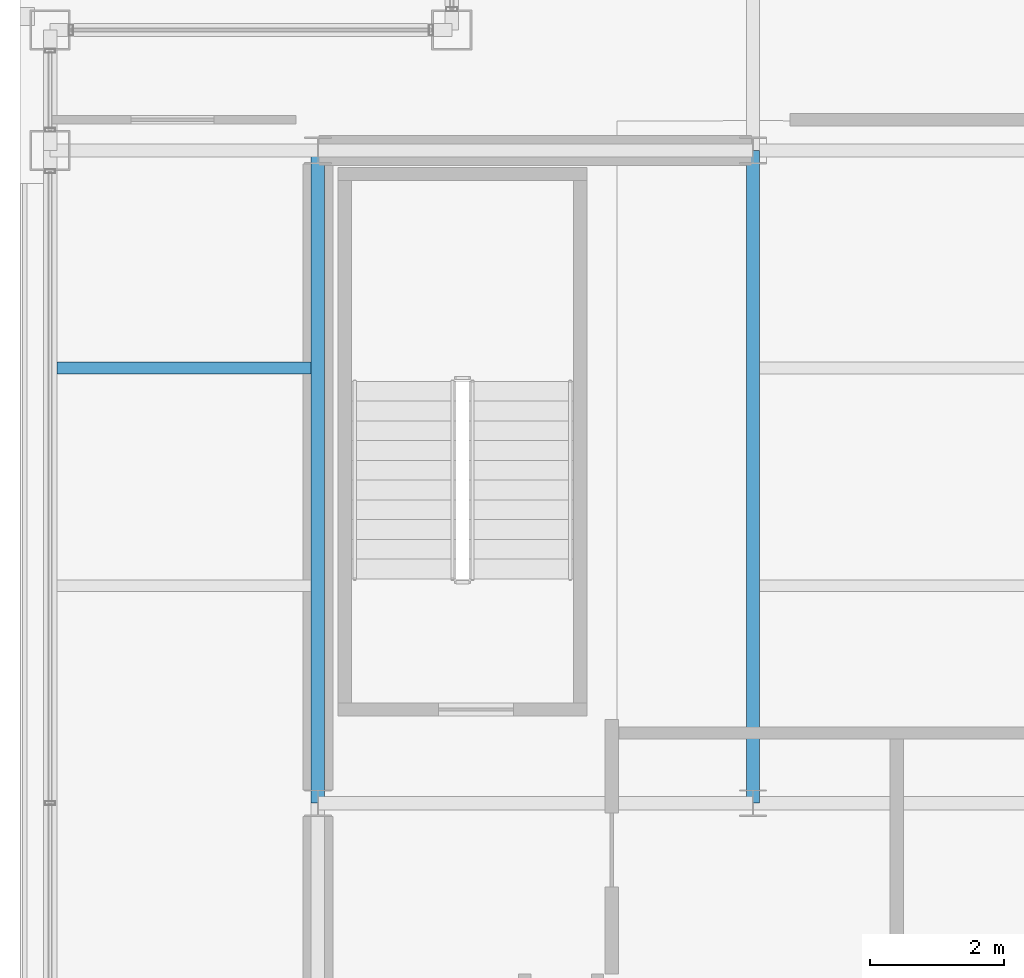
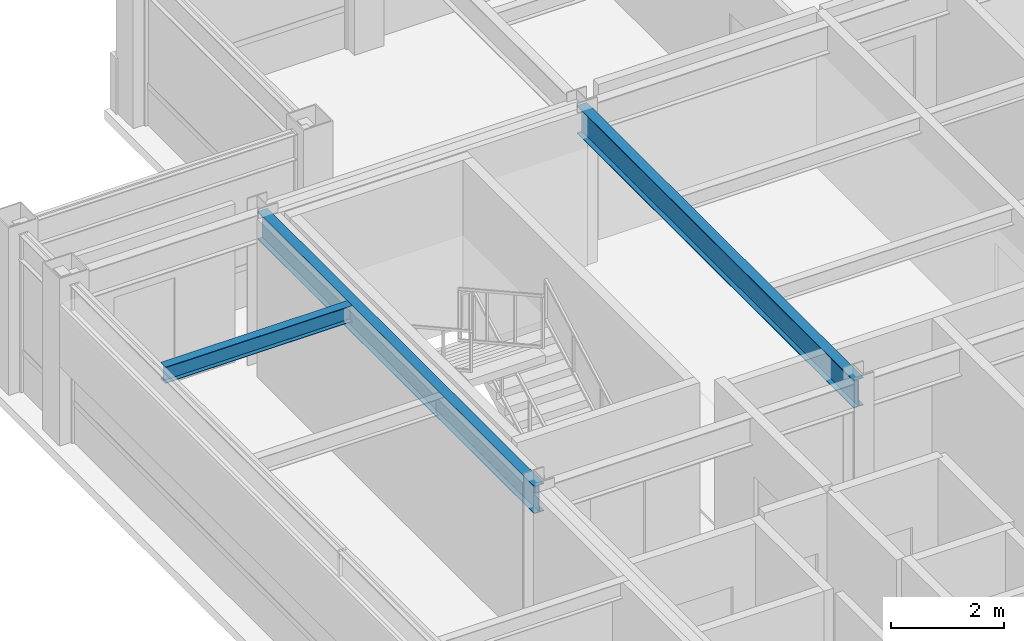
# One storey, part 7 of 22: 3 beams.
"""IFC4 building model written with IfcOpenShell, lengths in metres."""

from ifc_helpers import new_model, si_unit, direction, frame, origin, origin_2d, place, context, subcontext, project, spatial, i_section, extrude, material, material_profile, profile_set, type_object, element, save


model = new_model("IFC4")

# Units and contexts
model_context = context("Model", 3, precision=1e-05, world=origin(), true_north=direction((0.0, 1.0)))
body_context = subcontext(model_context, "Body", "Model", "MODEL_VIEW")
ifc_project = project(units=[si_unit("LENGTHUNIT", "METRE"), si_unit("AREAUNIT", "SQUARE_METRE"), si_unit("VOLUMEUNIT", "CUBIC_METRE"), si_unit("PLANEANGLEUNIT", "RADIAN"), si_unit("MASSUNIT", "GRAM", prefix="KILO")], contexts=[model_context])

# Site, building, storey
site_placement = place(None, origin())
site = spatial("IfcSite", under=ifc_project, at=site_placement, CompositionType="ELEMENT")
building_placement = place(site_placement, origin())
building = spatial("IfcBuilding", under=site, at=building_placement, Name="Brelmoor Portico Tower", CompositionType="ELEMENT")
storey_placement = place(building_placement, frame((0.0, 0.0, 280.800048828125)))
storey = spatial("IfcBuildingStorey", under=building, at=storey_placement, Name="L74", CompositionType="ELEMENT", Elevation=280.800048828125)

# Beams
ifc_material = material(Name="Steel Q355B", Category="steel")
ifc_material_profile_1 = material_profile(ifc_material, i_section(OverallWidth=0.175048828125, OverallDepth=0.35009765625, WebThickness=0.007080078125, FlangeThickness=0.010986328125, at=origin_2d()), Name="HN 350x175x7x11")
ifc_profile_set_1 = profile_set([ifc_material_profile_1], Name="Steel Q355B")
beam_type_1 = type_object("IfcBeamType", Name="BM-JS-350", PredefinedType="JOIST", material=ifc_profile_set_1)
beam_placement = place(storey_placement, frame((-18.449951171875, 6.5, 3.224853515625), z_axis=(1.0, 0.0, 0.0), x_axis=(0.0, 1.0, 0.0)))
element("IfcBeam", 1, at=beam_placement, inside=storey, type_object=beam_type_1, Name="L74 Secondary Wing Joist JS-W10", PredefinedType="JOIST", context=body_context, shape_type="SweptSolid", body=[
    extrude(i_section(OverallWidth=0.175048828125, OverallDepth=0.35009765625, WebThickness=0.007080078125, FlangeThickness=0.010986328125, at=origin_2d()), origin(), (0.0, 0.0, 1.0), 3.800048828125),
])
ifc_material_profile_2 = material_profile(ifc_material, i_section(OverallWidth=0.199951171875, OverallDepth=0.60009765625, WebThickness=0.010986328125, FlangeThickness=0.01708984375, at=origin_2d()), Name="HN 600x200x11x17")
ifc_profile_set_2 = profile_set([ifc_material_profile_2], Name="Steel Q355B")
beam_type_2 = type_object("IfcBeamType", Name="BM-PG-600", PredefinedType="BEAM", material=ifc_profile_set_2)
for number, where, z_axis, x_axis, name in (
    (2, (-14.550048828125, 0.0, 3.099853515625), (0.0, 1.0, 0.0), (-1.0, 0.0, 0.0), "L74 Primary Floor Girder PG-02"),
    (3, (-8.050048828125, 0.0, 3.099853515625), (0.0, 1.0, 0.0), (-1.0, 0.0, 0.0), "L74 Primary Floor Girder PG-04"),
):
    element("IfcBeam", number, at=place(storey_placement, frame(where, z_axis=z_axis, x_axis=x_axis)), inside=storey, type_object=beam_type_2, Name=name, PredefinedType="BEAM", context=body_context, shape_type="SweptSolid", body=[
        extrude(i_section(OverallWidth=0.199951171875, OverallDepth=0.60009765625, WebThickness=0.010986328125, FlangeThickness=0.01708984375, at=origin_2d()), origin(), (0.0, 0.0, 1.0), 9.75),
    ])

save(model, "model.ifc")
